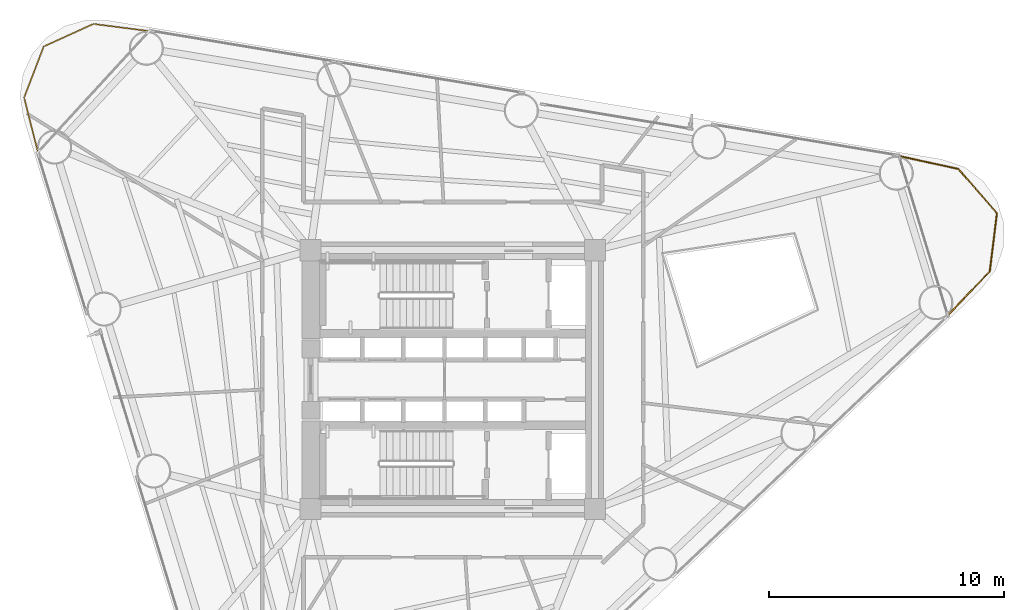
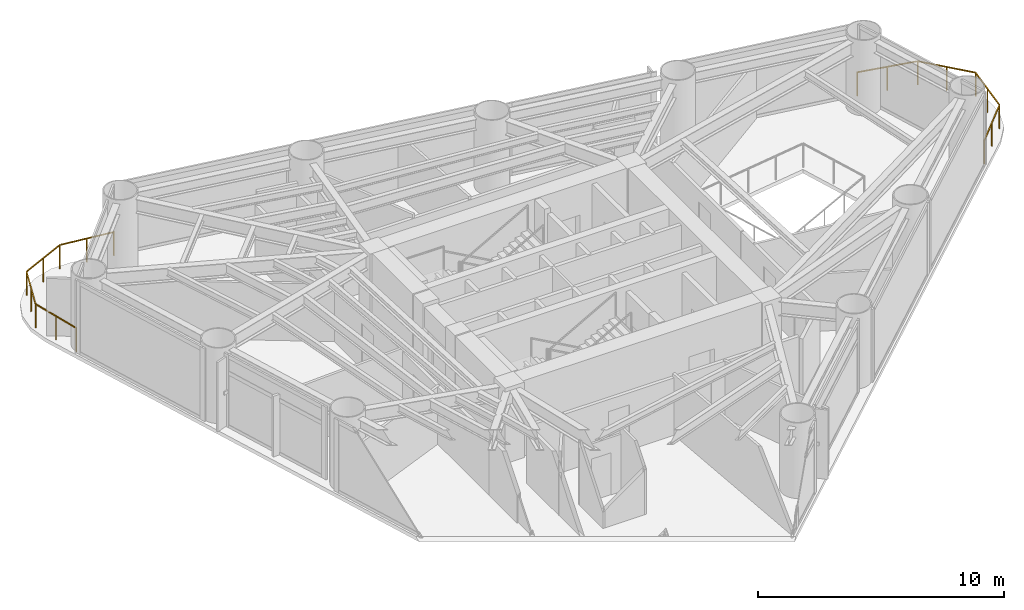
# One storey, part 10 of 10: 2 railings.
"""IFC4 building model written with IfcOpenShell, lengths in metres."""

from ifc_helpers import new_model, si_unit, direction, frame, origin, origin_2d, place, context, subcontext, project, spatial, rectangle, extrude, material, type_object, element, save


model = new_model("IFC4")

# Units and contexts
model_context = context("Model", 3, precision=1e-05, world=origin(), true_north=direction((0.0, 1.0)))
body_context = subcontext(model_context, "Body", "Model", "MODEL_VIEW")
ifc_project = project(units=[si_unit("LENGTHUNIT", "METRE"), si_unit("AREAUNIT", "SQUARE_METRE"), si_unit("VOLUMEUNIT", "CUBIC_METRE"), si_unit("PLANEANGLEUNIT", "RADIAN"), si_unit("MASSUNIT", "GRAM", prefix="KILO")], contexts=[model_context])

# Site, building, storey
site_placement = place(None, origin())
site = spatial("IfcSite", under=ifc_project, at=site_placement, CompositionType="ELEMENT")
building_placement = place(site_placement, origin())
building = spatial("IfcBuilding", under=site, at=building_placement, Name="Yunling Apex Tower", CompositionType="ELEMENT")
storey_placement = place(building_placement, frame((0.0, 0.0, 108.64990234375)))
storey = spatial("IfcBuildingStorey", under=building, at=storey_placement, Name="L27", CompositionType="ELEMENT", Elevation=108.64990234375)

# Railings
ifc_material = material(Name="Bronze anodised aluminium", Category="aluminium")
railing_type = type_object("IfcRailingType", Name="RL-BAL-1200", PredefinedType="BALUSTRADE", material=ifc_material)
railing_1_placement = place(storey_placement, frame((18.976806640625, 9.5029296875, 0.0)))
element("IfcRailing", 1, at=railing_1_placement, inside=storey, type_object=railing_type, Name="RL-CRNSILL-L27-1", PredefinedType="BALUSTRADE", context=body_context, shape_type="SweptSolid", body=[
    extrude(rectangle(XDim=0.0439453125, YDim=0.0439453125, at=origin_2d()), origin(), (0.0, 0.0, 1.0), 1.199951171875),
    extrude(rectangle(XDim=0.0439453125, YDim=0.0439453125, at=origin_2d()), frame((2.5205078125, -0.54833984375, 0.0)), (0.0, 0.0, 1.0), 1.199951171875),
    extrude(rectangle(XDim=0.050048828125, YDim=0.050048828125, at=origin_2d()), frame((0.037353515625, -0.008056640625, 1.1748046875), z_axis=(0.977143892078, -0.212578959861, 0.0), x_axis=(0.212578959861, 0.977143892078, 0.0)), (0.0, 0.0, 1.0), 2.502685546875),
    extrude(rectangle(XDim=0.0439453125, YDim=0.0439453125, at=origin_2d()), frame((1.26025390625, -0.274169921875, 0.0)), (0.0, 0.0, 1.0), 1.14599609375),
    extrude(rectangle(XDim=0.0439453125, YDim=0.0439453125, at=origin_2d()), frame((4.156005859375, -2.430419921875, 0.0)), (0.0, 0.0, 1.0), 1.199951171875),
    extrude(rectangle(XDim=0.050048828125, YDim=0.050048828125, at=origin_2d()), frame((2.545654296875, -0.577392578125, 1.1748046875), z_axis=(0.655928991852, -0.754822600117, 0.0), x_axis=(0.754822600117, 0.655928991852, 0.0)), (0.0, 0.0, 1.0), 2.416748046875),
    extrude(rectangle(XDim=0.0439453125, YDim=0.0439453125, at=origin_2d()), frame((3.33837890625, -1.4892578125, 0.0)), (0.0, 0.0, 1.0), 1.14599609375),
    extrude(rectangle(XDim=0.0439453125, YDim=0.0439453125, at=origin_2d()), frame((3.8525390625, -4.905517578125, 0.0)), (0.0, 0.0, 1.0), 1.199951171875),
    extrude(rectangle(XDim=0.050048828125, YDim=0.050048828125, at=origin_2d()), frame((4.1513671875, -2.468505859375, 1.1748046875), z_axis=(-0.121696705052, -0.992567333726, 0.0), x_axis=(0.992567333726, -0.121696705052, 0.0)), (0.0, 0.0, 1.0), 2.4169921875),
    extrude(rectangle(XDim=0.0439453125, YDim=0.0439453125, at=origin_2d()), frame((4.00439453125, -3.66796875, 0.0)), (0.0, 0.0, 1.0), 1.14599609375),
    extrude(rectangle(XDim=0.0439453125, YDim=0.0439453125, at=origin_2d()), frame((2.06982421875, -6.76953125, 0.0)), (0.0, 0.0, 1.0), 1.199951171875),
    extrude(rectangle(XDim=0.050048828125, YDim=0.050048828125, at=origin_2d()), frame((3.825927734375, -4.93310546875, 1.1748046875), z_axis=(-0.691171065155, -0.722691191791, 0.0), x_axis=(0.722691191791, -0.691171065155, 0.0)), (0.0, 0.0, 1.0), 2.502685546875),
    extrude(rectangle(XDim=0.0439453125, YDim=0.0439453125, at=origin_2d()), frame((2.961181640625, -5.83740234375, 0.0)), (0.0, 0.0, 1.0), 1.14599609375),
])
railing_2_placement = place(storey_placement, frame((-17.63525390625, 9.6669921875, 0.0)))
element("IfcRailing", 2, at=railing_2_placement, inside=storey, type_object=railing_type, Name="RL-CRNSILL-L27-2", PredefinedType="BALUSTRADE", context=body_context, shape_type="SweptSolid", body=[
    extrude(rectangle(XDim=0.0439453125, YDim=0.0439453125, at=origin_2d()), origin(), (0.0, 0.0, 1.0), 1.199951171875),
    extrude(rectangle(XDim=0.0439453125, YDim=0.0439453125, at=origin_2d()), frame((-0.58642578125, 2.31884765625, 0.0)), (0.0, 0.0, 1.0), 1.199951171875),
    extrude(rectangle(XDim=0.050048828125, YDim=0.050048828125, at=origin_2d()), frame((-0.00927734375, 0.037109375, 1.1748046875), z_axis=(-0.245176585422, 0.96947843811, 0.0), x_axis=(-0.96947843811, -0.245176585422, 0.0)), (0.0, 0.0, 1.0), 2.315185546875),
    extrude(rectangle(XDim=0.0439453125, YDim=0.0439453125, at=origin_2d()), frame((-0.293212890625, 1.159423828125, 0.0)), (0.0, 0.0, 1.0), 1.14599609375),
    extrude(rectangle(XDim=0.0439453125, YDim=0.0439453125, at=origin_2d()), frame((0.2470703125, 4.49267578125, 0.0)), (0.0, 0.0, 1.0), 1.199951171875),
    extrude(rectangle(XDim=0.050048828125, YDim=0.050048828125, at=origin_2d()), frame((-0.57275390625, 2.354736328125, 1.1748046875), z_axis=(0.358009154452, 0.933718075935, 0.0), x_axis=(-0.933718075935, 0.358009154452, 0.0)), (0.0, 0.0, 1.0), 2.25146484375),
    extrude(rectangle(XDim=0.0439453125, YDim=0.0439453125, at=origin_2d()), frame((-0.169677734375, 3.40576171875, 0.0)), (0.0, 0.0, 1.0), 1.14599609375),
    extrude(rectangle(XDim=0.0439453125, YDim=0.0439453125, at=origin_2d()), frame((2.359375, 5.453369140625, 0.0)), (0.0, 0.0, 1.0), 1.199951171875),
    extrude(rectangle(XDim=0.050048828125, YDim=0.050048828125, at=origin_2d()), frame((0.281982421875, 4.508544921875, 1.1748046875), z_axis=(0.910276378893, 0.4140011039, 0.0), x_axis=(-0.4140011039, 0.910276378893, 0.0)), (0.0, 0.0, 1.0), 2.243896484375),
    extrude(rectangle(XDim=0.0439453125, YDim=0.0439453125, at=origin_2d()), frame((1.30322265625, 4.97314453125, 0.0)), (0.0, 0.0, 1.0), 1.14599609375),
    extrude(rectangle(XDim=0.0439453125, YDim=0.0439453125, at=origin_2d()), frame((4.732666015625, 5.14794921875, 0.0)), (0.0, 0.0, 1.0), 1.199951171875),
    extrude(rectangle(XDim=0.050048828125, YDim=0.050048828125, at=origin_2d()), frame((2.3974609375, 5.448486328125, 1.1748046875), z_axis=(0.991820835982, -0.127637883532, 0.0), x_axis=(0.127637883532, 0.991820835982, 0.0)), (0.0, 0.0, 1.0), 2.316162109375),
    extrude(rectangle(XDim=0.0439453125, YDim=0.0439453125, at=origin_2d()), frame((3.5458984375, 5.30078125, 0.0)), (0.0, 0.0, 1.0), 1.14599609375),
])

save(model, "model.ifc")
